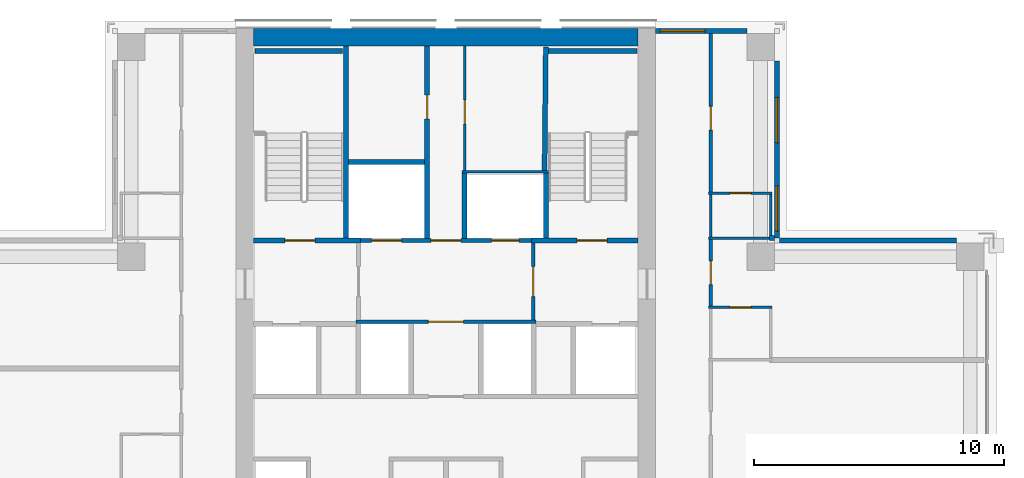
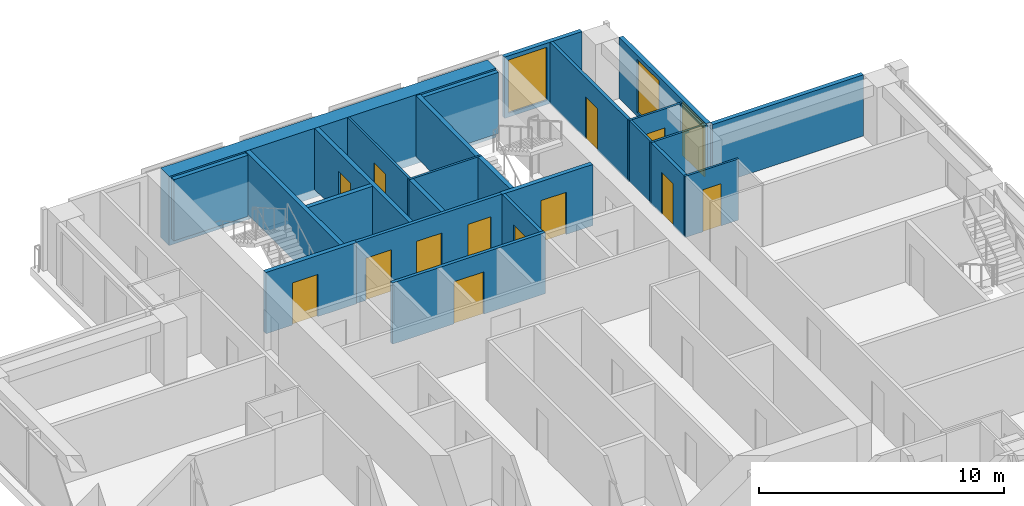
# One storey, part 12 of 16: 27 walls, 13 doors, 3 windows, 16 openings.
"""IFC4 building model written with IfcOpenShell, lengths in metres."""

from ifc_helpers import new_model, si_unit, direction, frame, frame_2d, origin, place, context, subcontext, project, spatial, rectangle, extrude, material, layer, layer_set, type_object, element, fill, save


model = new_model("IFC4")

# Units and contexts
model_context = context("Model", 3, precision=1e-05, world=origin(), true_north=direction((0.0, 1.0)))
body_context = subcontext(model_context, "Body", "Model", "MODEL_VIEW")
ifc_project = project(units=[si_unit("LENGTHUNIT", "METRE"), si_unit("AREAUNIT", "SQUARE_METRE"), si_unit("VOLUMEUNIT", "CUBIC_METRE"), si_unit("PLANEANGLEUNIT", "RADIAN"), si_unit("MASSUNIT", "GRAM", prefix="KILO")], contexts=[model_context])

# Site, building, storey
site_placement = place(None, origin())
site = spatial("IfcSite", under=ifc_project, at=site_placement, CompositionType="ELEMENT")
building_placement = place(site_placement, origin())
building = spatial("IfcBuilding", under=site, at=building_placement, Name="Vermilion Ogive Tower", CompositionType="ELEMENT")
storey_placement = place(building_placement, frame((0.0, 0.0, 146.89990234375)))
storey = spatial("IfcBuildingStorey", under=building, at=storey_placement, Name="L37", CompositionType="ELEMENT", Elevation=146.89990234375)

# Wall
ifc_material_1 = material(Name="Concrete B60", Category="concrete")
ifc_layer_1 = layer(ifc_material_1, 0.699951171875)
ifc_layer_set_1 = layer_set([ifc_layer_1], Name="Core wall 700 B60")
wall_type_1 = type_object("IfcWallType", Name="Core wall 700 B60", PredefinedType="SHEAR", material=ifc_layer_set_1)
wall_1_placement = place(storey_placement, frame((-7.699951171875, 21.39990234375, -0.39990234375), z_axis=(0.0, 0.0, 1.0), x_axis=(1.0, 0.0, 0.0)))
element("IfcWall", 1, at=wall_1_placement, inside=storey, type_object=wall_type_1, Name="L37-CORE-N", PredefinedType="SHEAR", context=body_context, shape_type="SweptSolid", body=[
    extrude(rectangle(XDim=15.39990234375, YDim=0.699951171875, at=frame_2d((7.699951171875, 0.0))), origin(), (0.0, 0.0, 1.0), 3.449951171875),
])

# Wall, opening, door
ifc_material_2 = material(Name="Gypsum board partition on steel studs", Category="steel")
ifc_layer_2 = layer(ifc_material_2, 0.10009765625)
ifc_layer_set_2 = layer_set([ifc_layer_2], Name="Partition 100 bath")
wall_type_2 = type_object("IfcWallType", Name="Partition 100 bath", PredefinedType="PARTITIONING", material=ifc_layer_set_2)
wall_2_placement = place(storey_placement, frame((10.52490234375, 10.570068359375, 0.0), z_axis=(0.0, 0.0, 1.0), x_axis=(1.0, 0.0, 0.0)))
wall_2 = element("IfcWall", 2, at=wall_2_placement, inside=storey, type_object=wall_type_2, Name="L37-W-W026", PredefinedType="PARTITIONING", context=body_context, shape_type="SweptSolid", body=[
    extrude(rectangle(XDim=2.525146484375, YDim=0.10009765625, at=frame_2d((1.2626953125, 0.0))), origin(), (0.0, 0.0, 1.0), 3.050048828125),
])
opening_1_placement = place(wall_2_placement, frame((0.85009765625, 0.0, 0.0)))
opening_1 = element("IfcOpeningElement", 3, at=opening_1_placement, cuts=wall_2, Name="Opening D3G2014", PredefinedType="OPENING", context=body_context, shape_type="SweptSolid", body=[
    extrude(rectangle(XDim=0.85009765625, YDim=2.10009765625, at=frame_2d((0.425048828125, 1.050048828125))), frame((0.0, 0.06005859375, 0.0), z_axis=(0.0, -1.0, 0.0), x_axis=(1.0, 0.0, 0.0)), (0.0, 0.0, 1.0), 0.1201171875),
])
ifc_material_3 = material(Name="Timber door leaf", Category="wood")
door_type_1 = type_object("IfcDoorType", Name="Bath door 850 x 2100 FD30", OperationType="SINGLE_SWING_LEFT", PredefinedType="DOOR", material=ifc_material_3)
door_1_placement = place(opening_1_placement, origin())
door_1 = element("IfcDoor", 4, at=door_1_placement, inside=storey, type_object=door_type_1, Name="L37-D-D014", OperationType="SINGLE_SWING_RIGHT", OverallHeight=2.10009765625, OverallWidth=0.85009765625, PredefinedType="DOOR", context=body_context, shape_type="SweptSolid", body=[
    extrude(rectangle(XDim=0.85009765625, YDim=2.10009765625, at=frame_2d((0.425048828125, 1.050048828125))), frame((0.0, 0.02490234375, 0.0), z_axis=(0.0, -1.0, 0.0), x_axis=(1.0, 0.0, 0.0)), (0.0, 0.0, 1.0), 0.050048828125),
])
fill(opening_1, door_1)

# Wall
wall_3_placement = place(storey_placement, frame((10.52490234375, 13.35009765625, 0.0), z_axis=(0.0, 0.0, 1.0), x_axis=(1.0, 0.0, 0.0)))
element("IfcWall", 5, at=wall_3_placement, inside=storey, type_object=wall_type_2, Name="L37-W-W029", PredefinedType="PARTITIONING", context=body_context, shape_type="SweptSolid", body=[
    extrude(rectangle(XDim=2.525146484375, YDim=0.10009765625, at=frame_2d((1.2626953125, 0.0))), origin(), (0.0, 0.0, 1.0), 3.050048828125),
])

# Wall, opening, door
wall_4_placement = place(storey_placement, frame((10.52490234375, 15.14990234375, 0.0), z_axis=(0.0, 0.0, 1.0), x_axis=(1.0, 0.0, 0.0)))
wall_4 = element("IfcWall", 6, at=wall_4_placement, inside=storey, type_object=wall_type_2, Name="L37-W-W032", PredefinedType="PARTITIONING", context=body_context, shape_type="SweptSolid", body=[
    extrude(rectangle(XDim=2.525146484375, YDim=0.10009765625, at=frame_2d((1.2626953125, 0.0))), origin(), (0.0, 0.0, 1.0), 3.050048828125),
])
opening_2_placement = place(wall_4_placement, frame((0.85009765625, 0.0, 0.0)))
opening_2 = element("IfcOpeningElement", 7, at=opening_2_placement, cuts=wall_4, Name="Opening D3G2016", PredefinedType="OPENING", context=body_context, shape_type="SweptSolid", body=[
    extrude(rectangle(XDim=0.85009765625, YDim=2.10009765625, at=frame_2d((0.425048828125, 1.050048828125))), frame((0.0, 0.06005859375, 0.0), z_axis=(0.0, -1.0, 0.0), x_axis=(1.0, 0.0, 0.0)), (0.0, 0.0, 1.0), 0.1201171875),
])
door_2_placement = place(opening_2_placement, origin())
door_2 = element("IfcDoor", 8, at=door_2_placement, inside=storey, type_object=door_type_1, Name="L37-D-D016", OperationType="SINGLE_SWING_RIGHT", OverallHeight=2.10009765625, OverallWidth=0.85009765625, PredefinedType="DOOR", context=body_context, shape_type="SweptSolid", body=[
    extrude(rectangle(XDim=0.85009765625, YDim=2.10009765625, at=frame_2d((0.425048828125, 1.050048828125))), frame((0.0, 0.02490234375, 0.0), z_axis=(0.0, -1.0, 0.0), x_axis=(1.0, 0.0, 0.0)), (0.0, 0.0, 1.0), 0.050048828125),
])
fill(opening_2, door_2)

# Walls
wall_5_placement = place(storey_placement, frame((10.60009765625, 13.39990234375, 0.0), z_axis=(0.0, 0.0, 1.0), x_axis=(0.0, 1.0, 0.0)))
element("IfcWall", 9, at=wall_5_placement, inside=storey, type_object=wall_type_2, Name="L37-W-W057", PredefinedType="PARTITIONING", context=body_context, shape_type="SweptSolid", body=[
    extrude(rectangle(XDim=1.7001953125, YDim=0.10009765625, at=frame_2d((0.85009765625, 0.0))), origin(), (0.0, 0.0, 1.0), 3.050048828125),
])
wall_6_placement = place(storey_placement, frame((13.0, 13.449951171875, 0.0), z_axis=(0.0, 0.0, 1.0), x_axis=(0.0, 1.0, 0.0)))
element("IfcWall", 10, at=wall_6_placement, inside=storey, type_object=wall_type_2, Name="L37-W-W063", PredefinedType="PARTITIONING", context=body_context, shape_type="SweptSolid", body=[
    extrude(rectangle(XDim=1.650146484375, YDim=0.10009765625, at=frame_2d((0.8251953125, 0.0))), origin(), (0.0, 0.0, 1.0), 3.050048828125),
])
wall_7_placement = place(storey_placement, frame((0.64990234375, 16.0, 0.0), z_axis=(0.0, 0.0, 1.0), x_axis=(1.0, 0.0, 0.0)))
element("IfcWall", 11, at=wall_7_placement, inside=storey, type_object=wall_type_2, Name="L37-CK-W-W017", PredefinedType="PARTITIONING", context=body_context, shape_type="SweptSolid", body=[
    extrude(rectangle(XDim=3.4501953125, YDim=0.10009765625, at=frame_2d((1.72509765625, 0.0))), origin(), (0.0, 0.0, 1.0), 3.050048828125),
])

# Wall, opening, door
wall_8_placement = place(storey_placement, frame((0.75, 16.050048828125, 0.0), z_axis=(0.0, 0.0, 1.0), x_axis=(0.0, 1.0, 0.0)))
wall_8 = element("IfcWall", 12, at=wall_8_placement, inside=storey, type_object=wall_type_2, Name="L37-CK-W-W029", PredefinedType="PARTITIONING", context=body_context, shape_type="SweptSolid", body=[
    extrude(rectangle(XDim=4.9990234375, YDim=0.10009765625, at=frame_2d((2.49951171875, 0.0))), origin(), (0.0, 0.0, 1.0), 3.050048828125),
])
opening_3_placement = place(wall_8_placement, frame((1.875, 0.0, 0.0)))
opening_3 = element("IfcOpeningElement", 13, at=opening_3_placement, cuts=wall_8, Name="Opening DAA311", PredefinedType="OPENING", context=body_context, shape_type="SweptSolid", body=[
    extrude(rectangle(XDim=0.949951171875, YDim=2.10009765625, at=frame_2d((0.47509765625, 1.050048828125))), frame((0.0, 0.06005859375, 0.0), z_axis=(0.0, -1.0, 0.0), x_axis=(1.0, 0.0, 0.0)), (0.0, 0.0, 1.0), 0.1201171875),
])
ifc_material_4 = material(Name="Timber door leaf", Category="wood")
door_type_2 = type_object("IfcDoorType", Name="Service door 950 x 2100 FD60", OperationType="SINGLE_SWING_LEFT", PredefinedType="DOOR", material=ifc_material_4)
door_3_placement = place(opening_3_placement, origin())
door_3 = element("IfcDoor", 14, at=door_3_placement, inside=storey, type_object=door_type_2, Name="L37-CK-D-D021", OperationType="SINGLE_SWING_LEFT", OverallHeight=2.10009765625, OverallWidth=0.949951171875, PredefinedType="DOOR", context=body_context, shape_type="SweptSolid", body=[
    extrude(rectangle(XDim=0.949951171875, YDim=2.10009765625, at=frame_2d((0.47509765625, 1.050048828125))), frame((0.0, 0.02490234375, 0.0), z_axis=(0.0, -1.0, 0.0), x_axis=(1.0, 0.0, 0.0)), (0.0, 0.0, 1.0), 0.050048828125),
])
fill(opening_3, door_3)

ifc_material_5 = material(Name="Gypsum board partition on steel studs", Category="steel")
ifc_layer_3 = layer(ifc_material_5, 0.14990234375)
ifc_layer_set_3 = layer_set([ifc_layer_3], Name="Partition 150 corridor")
wall_type_3 = type_object("IfcWallType", Name="Partition 150 corridor", PredefinedType="PARTITIONING", material=ifc_layer_set_3)
wall_9_placement = place(storey_placement, frame((10.60009765625, 10.6201171875, 0.0), z_axis=(0.0, 0.0, 1.0), x_axis=(0.0, 1.0, 0.0)))
wall_9 = element("IfcWall", 15, at=wall_9_placement, inside=storey, type_object=wall_type_3, Name="L37-W-W056", PredefinedType="PARTITIONING", context=body_context, shape_type="SweptSolid", body=[
    extrude(rectangle(XDim=2.679931640625, YDim=0.14990234375, at=frame_2d((1.33984375, 0.0))), origin(), (0.0, 0.0, 1.0), 3.050048828125),
])
opening_4_placement = place(wall_9_placement, frame((0.864990234375, 0.0, 0.0)))
opening_4 = element("IfcOpeningElement", 16, at=opening_4_placement, cuts=wall_9, Name="Opening D3G2013", PredefinedType="OPENING", context=body_context, shape_type="SweptSolid", body=[
    extrude(rectangle(XDim=0.949951171875, YDim=2.10009765625, at=frame_2d((0.47509765625, 1.050048828125))), frame((0.0, 0.0849609375, 0.0), z_axis=(0.0, -1.0, 0.0), x_axis=(1.0, 0.0, 0.0)), (0.0, 0.0, 1.0), 0.169921875),
])
ifc_material_6 = material(Name="Timber door leaf", Category="wood")
door_type_3 = type_object("IfcDoorType", Name="Unit door 950 x 2100 FD30S", OperationType="SINGLE_SWING_LEFT", PredefinedType="DOOR", material=ifc_material_6)
door_4_placement = place(opening_4_placement, origin())
door_4 = element("IfcDoor", 17, at=door_4_placement, inside=storey, type_object=door_type_3, Name="L37-D-D013", OperationType="SINGLE_SWING_RIGHT", OverallHeight=2.10009765625, OverallWidth=0.949951171875, PredefinedType="DOOR", context=body_context, shape_type="SweptSolid", body=[
    extrude(rectangle(XDim=0.949951171875, YDim=2.10009765625, at=frame_2d((0.47509765625, 1.050048828125))), frame((0.0, 0.02490234375, 0.0), z_axis=(0.0, -1.0, 0.0), x_axis=(1.0, 0.0, 0.0)), (0.0, 0.0, 1.0), 0.050048828125),
])
fill(opening_4, door_4)

wall_10_placement = place(storey_placement, frame((10.60009765625, 15.199951171875, 0.0), z_axis=(0.0, 0.0, 1.0), x_axis=(0.0, 1.0, 0.0)))
wall_10 = element("IfcWall", 18, at=wall_10_placement, inside=storey, type_object=wall_type_3, Name="L37-W-W058", PredefinedType="PARTITIONING", context=body_context, shape_type="SweptSolid", body=[
    extrude(rectangle(XDim=6.35009765625, YDim=0.14990234375, at=frame_2d((3.175048828125, 0.0))), origin(), (0.0, 0.0, 1.0), 3.050048828125),
])
opening_5_placement = place(wall_10_placement, frame((2.47509765625, 0.0, 0.0)))
opening_5 = element("IfcOpeningElement", 19, at=opening_5_placement, cuts=wall_10, Name="Opening D3G2015", PredefinedType="OPENING", context=body_context, shape_type="SweptSolid", body=[
    extrude(rectangle(XDim=0.949951171875, YDim=2.10009765625, at=frame_2d((0.47509765625, 1.050048828125))), frame((0.0, 0.0849609375, 0.0), z_axis=(0.0, -1.0, 0.0), x_axis=(1.0, 0.0, 0.0)), (0.0, 0.0, 1.0), 0.169921875),
])
door_5_placement = place(opening_5_placement, origin())
door_5 = element("IfcDoor", 20, at=door_5_placement, inside=storey, type_object=door_type_3, Name="L37-D-D015", OperationType="SINGLE_SWING_LEFT", OverallHeight=2.10009765625, OverallWidth=0.949951171875, PredefinedType="DOOR", context=body_context, shape_type="SweptSolid", body=[
    extrude(rectangle(XDim=0.949951171875, YDim=2.10009765625, at=frame_2d((0.47509765625, 1.050048828125))), frame((0.0, 0.02490234375, 0.0), z_axis=(0.0, -1.0, 0.0), x_axis=(1.0, 0.0, 0.0)), (0.0, 0.0, 1.0), 0.050048828125),
])
fill(opening_5, door_5)

wall_11_placement = place(storey_placement, frame((-3.60009765625, 10.0, 0.0), z_axis=(0.0, 0.0, 1.0), x_axis=(1.0, 0.0, 0.0)))
wall_11 = element("IfcWall", 21, at=wall_11_placement, inside=storey, type_object=wall_type_3, Name="L37-CK-W-W013", PredefinedType="PARTITIONING", context=body_context, shape_type="SweptSolid", body=[
    extrude(rectangle(XDim=7.2001953125, YDim=0.14990234375, at=frame_2d((3.60009765625, 0.0))), origin(), (0.0, 0.0, 1.0), 3.050048828125),
])
opening_6_placement = place(wall_11_placement, frame((2.900146484375, 0.0, 0.0)))
opening_6 = element("IfcOpeningElement", 22, at=opening_6_placement, cuts=wall_11, Name="Opening DAA303", PredefinedType="OPENING", context=body_context, shape_type="SweptSolid", body=[
    extrude(rectangle(XDim=1.39990234375, YDim=2.10009765625, at=frame_2d((0.699951171875, 1.050048828125))), frame((0.0, 0.0849609375, 0.0), z_axis=(0.0, -1.0, 0.0), x_axis=(1.0, 0.0, 0.0)), (0.0, 0.0, 1.0), 0.169921875),
])
ifc_material_7 = material(Name="Timber door leaf", Category="wood")
door_type_4 = type_object("IfcDoorType", Name="Lobby door 1400 x 2100 FD60S", OperationType="SINGLE_SWING_LEFT", PredefinedType="DOOR", material=ifc_material_7)
door_6_placement = place(opening_6_placement, origin())
door_6 = element("IfcDoor", 23, at=door_6_placement, inside=storey, type_object=door_type_4, Name="L37-CK-D-D016", OperationType="SINGLE_SWING_RIGHT", OverallHeight=2.10009765625, OverallWidth=1.39990234375, PredefinedType="DOOR", context=body_context, shape_type="SweptSolid", body=[
    extrude(rectangle(XDim=1.39990234375, YDim=2.10009765625, at=frame_2d((0.699951171875, 1.050048828125))), frame((0.0, 0.02490234375, 0.0), z_axis=(0.0, -1.0, 0.0), x_axis=(1.0, 0.0, 0.0)), (0.0, 0.0, 1.0), 0.050048828125),
])
fill(opening_6, door_6)

# Wall, openings, doors
wall_12_placement = place(storey_placement, frame((-3.574951171875, 13.25, 0.0), z_axis=(0.0, 0.0, 1.0), x_axis=(1.0, 0.0, 0.0)))
wall_12 = element("IfcWall", 24, at=wall_12_placement, inside=storey, type_object=wall_type_3, Name="L37-CK-W-W015", PredefinedType="PARTITIONING", context=body_context, shape_type="SweptSolid", body=[
    extrude(rectangle(XDim=7.14990234375, YDim=0.14990234375, at=frame_2d((3.574951171875, 0.0))), origin(), (0.0, 0.0, 1.0), 3.050048828125),
])
opening_7_placement = place(wall_12_placement, frame((0.599853515625, 0.0, 0.0)))
opening_7 = element("IfcOpeningElement", 25, at=opening_7_placement, cuts=wall_12, Name="Opening DAA322", PredefinedType="OPENING", context=body_context, shape_type="SweptSolid", body=[
    extrude(rectangle(XDim=1.199951171875, YDim=2.10009765625, at=frame_2d((0.60009765625, 1.050048828125))), frame((0.0, 0.0849609375, 0.0), z_axis=(0.0, -1.0, 0.0), x_axis=(1.0, 0.0, 0.0)), (0.0, 0.0, 1.0), 0.169921875),
])
opening_8_placement = place(wall_12_placement, frame((5.39990234375, 0.0, 0.0)))
opening_8 = element("IfcOpeningElement", 26, at=opening_8_placement, cuts=wall_12, Name="Opening DAA321", PredefinedType="OPENING", context=body_context, shape_type="SweptSolid", body=[
    extrude(rectangle(XDim=1.10009765625, YDim=2.10009765625, at=frame_2d((0.550048828125, 1.050048828125))), frame((0.0, 0.0849609375, 0.0), z_axis=(0.0, -1.0, 0.0), x_axis=(1.0, 0.0, 0.0)), (0.0, 0.0, 1.0), 0.169921875),
])
opening_9_placement = place(wall_12_placement, frame((2.974853515625, 0.0, 0.0)))
opening_9 = element("IfcOpeningElement", 27, at=opening_9_placement, cuts=wall_12, Name="Opening DAA304", PredefinedType="OPENING", context=body_context, shape_type="SweptSolid", body=[
    extrude(rectangle(XDim=1.199951171875, YDim=2.10009765625, at=frame_2d((0.60009765625, 1.050048828125))), frame((0.0, 0.0849609375, 0.0), z_axis=(0.0, -1.0, 0.0), x_axis=(1.0, 0.0, 0.0)), (0.0, 0.0, 1.0), 0.169921875),
])
ifc_material_8 = material(Name="Stainless steel", Category="steel")
door_type_5 = type_object("IfcDoorType", Name="Lift landing door 1100 x 2100", OperationType="SLIDING_TO_LEFT", PredefinedType="DOOR", material=ifc_material_8)
door_7_placement = place(opening_8_placement, origin())
door_7 = element("IfcDoor", 28, at=door_7_placement, inside=storey, type_object=door_type_5, Name="L37-CK-D-D018", OperationType="SLIDING_TO_LEFT", OverallHeight=2.10009765625, OverallWidth=1.10009765625, PredefinedType="DOOR", context=body_context, shape_type="SweptSolid", body=[
    extrude(rectangle(XDim=1.10009765625, YDim=2.10009765625, at=frame_2d((0.550048828125, 1.050048828125))), frame((0.0, 0.02490234375, 0.0), z_axis=(0.0, -1.0, 0.0), x_axis=(1.0, 0.0, 0.0)), (0.0, 0.0, 1.0), 0.050048828125),
])
fill(opening_8, door_7)
ifc_material_9 = material(Name="Stainless steel", Category="steel")
door_type_6 = type_object("IfcDoorType", Name="Lift landing door 1200 x 2100", OperationType="SLIDING_TO_LEFT", PredefinedType="DOOR", material=ifc_material_9)
door_8_placement = place(opening_7_placement, origin())
door_8 = element("IfcDoor", 29, at=door_8_placement, inside=storey, type_object=door_type_6, Name="L37-CK-D-D017", OperationType="SLIDING_TO_RIGHT", OverallHeight=2.10009765625, OverallWidth=1.199951171875, PredefinedType="DOOR", context=body_context, shape_type="SweptSolid", body=[
    extrude(rectangle(XDim=1.199951171875, YDim=2.10009765625, at=frame_2d((0.60009765625, 1.050048828125))), frame((0.0, 0.02490234375, 0.0), z_axis=(0.0, -1.0, 0.0), x_axis=(1.0, 0.0, 0.0)), (0.0, 0.0, 1.0), 0.050048828125),
])
fill(opening_7, door_8)
ifc_material_10 = material(Name="Timber door leaf", Category="wood")
door_type_7 = type_object("IfcDoorType", Name="Service door 1200 x 2100 FD60", OperationType="SINGLE_SWING_LEFT", PredefinedType="DOOR", material=ifc_material_10)
door_9_placement = place(opening_9_placement, origin())
door_9 = element("IfcDoor", 30, at=door_9_placement, inside=storey, type_object=door_type_7, Name="L37-CK-D-D019", OperationType="SINGLE_SWING_RIGHT", OverallHeight=2.10009765625, OverallWidth=1.199951171875, PredefinedType="DOOR", context=body_context, shape_type="SweptSolid", body=[
    extrude(rectangle(XDim=1.199951171875, YDim=2.10009765625, at=frame_2d((0.60009765625, 1.050048828125))), frame((0.0, 0.02490234375, 0.0), z_axis=(0.0, -1.0, 0.0), x_axis=(1.0, 0.0, 0.0)), (0.0, 0.0, 1.0), 0.050048828125),
])
fill(opening_9, door_9)

# Wall, opening, door
wall_13_placement = place(storey_placement, frame((3.5, 10.074951171875, 0.0), z_axis=(0.0, 0.0, 1.0), x_axis=(0.0, 1.0, 0.0)))
wall_13 = element("IfcWall", 31, at=wall_13_placement, inside=storey, type_object=wall_type_3, Name="L37-CK-W-W033", PredefinedType="PARTITIONING", context=body_context, shape_type="SweptSolid", body=[
    extrude(rectangle(XDim=3.074951171875, YDim=0.14990234375, at=frame_2d((1.53759765625, 0.0))), origin(), (0.0, 0.0, 1.0), 3.050048828125),
])
opening_10_placement = place(wall_13_placement, frame((0.925048828125, 0.0, 0.0)))
opening_10 = element("IfcOpeningElement", 32, at=opening_10_placement, cuts=wall_13, Name="Opening DAA301", PredefinedType="OPENING", context=body_context, shape_type="SweptSolid", body=[
    extrude(rectangle(XDim=1.199951171875, YDim=2.10009765625, at=frame_2d((0.60009765625, 1.050048828125))), frame((0.0, 0.0849609375, 0.0), z_axis=(0.0, -1.0, 0.0), x_axis=(1.0, 0.0, 0.0)), (0.0, 0.0, 1.0), 0.169921875),
])
ifc_material_11 = material(Name="Timber door leaf", Category="wood")
door_type_8 = type_object("IfcDoorType", Name="Lobby door 1200 x 2100 FD60S", OperationType="SINGLE_SWING_LEFT", PredefinedType="DOOR", material=ifc_material_11)
door_10_placement = place(opening_10_placement, origin())
door_10 = element("IfcDoor", 33, at=door_10_placement, inside=storey, type_object=door_type_8, Name="L37-CK-D-D023", OperationType="SINGLE_SWING_LEFT", OverallHeight=2.10009765625, OverallWidth=1.199951171875, PredefinedType="DOOR", context=body_context, shape_type="SweptSolid", body=[
    extrude(rectangle(XDim=1.199951171875, YDim=2.10009765625, at=frame_2d((0.60009765625, 1.050048828125))), frame((0.0, 0.02490234375, 0.0), z_axis=(0.0, -1.0, 0.0), x_axis=(1.0, 0.0, 0.0)), (0.0, 0.0, 1.0), 0.050048828125),
])
fill(opening_10, door_10)

# Walls
ifc_material_12 = material(Name="Gypsum board partition on steel studs", Category="steel")
ifc_layer_4 = layer(ifc_material_12, 0.199951171875)
ifc_layer_set_4 = layer_set([ifc_layer_4], Name="Partition 200 party")
wall_type_4 = type_object("IfcWallType", Name="Partition 200 party", PredefinedType="PARTITIONING", material=ifc_layer_set_4)
wall_14_placement = place(storey_placement, frame((12.949951171875, 13.35009765625, 0.0), z_axis=(0.0, 0.0, 1.0), x_axis=(1.0, 0.0, 0.0)))
element("IfcWall", 34, at=wall_14_placement, inside=storey, type_object=wall_type_4, Name="L37-W-W030", PredefinedType="PARTITIONING", context=body_context, shape_type="SweptSolid", body=[
    extrude(rectangle(XDim=0.199951171875, YDim=0.199951171875, at=frame_2d((0.10009765625, 0.0))), origin(), (0.0, 0.0, 1.0), 3.050048828125),
])
wall_15_placement = place(storey_placement, frame((-3.89990234375, 16.39990234375, 0.0), z_axis=(0.0, 0.0, 1.0), x_axis=(1.0, 0.0, 0.0)))
element("IfcWall", 35, at=wall_15_placement, inside=storey, type_object=wall_type_4, Name="L37-CK-W-W018", PredefinedType="PARTITIONING", context=body_context, shape_type="SweptSolid", body=[
    extrude(rectangle(XDim=3.0498046875, YDim=0.199951171875, at=frame_2d((1.52490234375, 0.0))), origin(), (0.0, 0.0, 1.0), 3.050048828125),
])

# Wall, opening, door
wall_16_placement = place(storey_placement, frame((-0.75, 13.324951171875, 0.0), z_axis=(0.0, 0.0, 1.0), x_axis=(0.0, 1.0, 0.0)))
wall_16 = element("IfcWall", 36, at=wall_16_placement, inside=storey, type_object=wall_type_4, Name="L37-CK-W-W026", PredefinedType="PARTITIONING", context=body_context, shape_type="SweptSolid", body=[
    extrude(rectangle(XDim=7.72412109375, YDim=0.199951171875, at=frame_2d((3.862060546875, 0.0))), origin(), (0.0, 0.0, 1.0), 3.050048828125),
])
opening_11_placement = place(wall_16_placement, frame((4.800048828125, 0.0, 0.0)))
opening_11 = element("IfcOpeningElement", 37, at=opening_11_placement, cuts=wall_16, Name="Opening DAA310", PredefinedType="OPENING", context=body_context, shape_type="SweptSolid", body=[
    extrude(rectangle(XDim=0.949951171875, YDim=2.10009765625, at=frame_2d((0.47509765625, 1.050048828125))), frame((0.0, 0.10986328125, 0.0), z_axis=(0.0, -1.0, 0.0), x_axis=(1.0, 0.0, 0.0)), (0.0, 0.0, 1.0), 0.219970703125),
])
door_11_placement = place(opening_11_placement, origin())
door_11 = element("IfcDoor", 38, at=door_11_placement, inside=storey, type_object=door_type_2, Name="L37-CK-D-D020", OperationType="SINGLE_SWING_RIGHT", OverallHeight=2.10009765625, OverallWidth=0.949951171875, PredefinedType="DOOR", context=body_context, shape_type="SweptSolid", body=[
    extrude(rectangle(XDim=0.949951171875, YDim=2.10009765625, at=frame_2d((0.47509765625, 1.050048828125))), frame((0.0, 0.02490234375, 0.0), z_axis=(0.0, -1.0, 0.0), x_axis=(1.0, 0.0, 0.0)), (0.0, 0.0, 1.0), 0.050048828125),
])
fill(opening_11, door_11)

# Wall
wall_17_placement = place(storey_placement, frame((0.75, 13.324951171875, 0.0), z_axis=(0.0, 0.0, 1.0), x_axis=(0.0, 1.0, 0.0)))
element("IfcWall", 39, at=wall_17_placement, inside=storey, type_object=wall_type_4, Name="L37-CK-W-W028", PredefinedType="PARTITIONING", context=body_context, shape_type="SweptSolid", body=[
    extrude(rectangle(XDim=2.625, YDim=0.199951171875, at=frame_2d((1.3125, 0.0))), origin(), (0.0, 0.0, 1.0), 3.050048828125),
])

# Wall, opening, door
ifc_material_13 = material(Name="Concrete B60", Category="concrete")
ifc_layer_5 = layer(ifc_material_13, 0.199951171875)
ifc_layer_set_5 = layer_set([ifc_layer_5], Name="Stair shaft wall 200 Concrete B60")
wall_type_5 = type_object("IfcWallType", Name="Stair shaft wall 200 Concrete B60", PredefinedType="SOLIDWALL", material=ifc_layer_set_5)
wall_18_placement = place(storey_placement, frame((-7.698974609375, 13.25, 0.0), z_axis=(0.0, 0.0, 1.0), x_axis=(1.0, 0.0, 0.0)))
wall_18 = element("IfcWall", 40, at=wall_18_placement, inside=storey, type_object=wall_type_5, Name="L37-CK-W-W014", PredefinedType="SOLIDWALL", context=body_context, shape_type="SweptSolid", body=[
    extrude(rectangle(XDim=4.27392578125, YDim=0.199951171875, at=frame_2d((2.136962890625, 0.0))), origin(), (0.0, 0.0, 1.0), 3.050048828125),
])
opening_12_placement = place(wall_18_placement, frame((1.2490234375, 0.0, 0.0)))
opening_12 = element("IfcOpeningElement", 41, at=opening_12_placement, cuts=wall_18, Name="Opening DAA312", PredefinedType="OPENING", context=body_context, shape_type="SweptSolid", body=[
    extrude(rectangle(XDim=1.199951171875, YDim=2.10009765625, at=frame_2d((0.60009765625, 1.050048828125))), frame((0.0, 0.10986328125, 0.0), z_axis=(0.0, -1.0, 0.0), x_axis=(1.0, 0.0, 0.0)), (0.0, 0.0, 1.0), 0.219970703125),
])
ifc_material_14 = material(Name="Timber door leaf", Category="wood")
door_type_9 = type_object("IfcDoorType", Name="Stair door 1200 x 2100 FD60S", OperationType="SINGLE_SWING_LEFT", PredefinedType="DOOR", material=ifc_material_14)
door_12_placement = place(opening_12_placement, origin())
door_12 = element("IfcDoor", 42, at=door_12_placement, inside=storey, type_object=door_type_9, Name="L37-CK-D-D011", OperationType="SINGLE_SWING_LEFT", OverallHeight=2.10009765625, OverallWidth=1.199951171875, PredefinedType="DOOR", context=body_context, shape_type="SweptSolid", body=[
    extrude(rectangle(XDim=1.199951171875, YDim=2.10009765625, at=frame_2d((0.60009765625, 1.050048828125))), frame((0.0, 0.02490234375, 0.0), z_axis=(0.0, -1.0, 0.0), x_axis=(1.0, 0.0, 0.0)), (0.0, 0.0, 1.0), 0.050048828125),
])
fill(opening_12, door_12)

wall_19_placement = place(storey_placement, frame((3.425048828125, 13.25, 0.0), z_axis=(0.0, 0.0, 1.0), x_axis=(1.0, 0.0, 0.0)))
wall_19 = element("IfcWall", 43, at=wall_19_placement, inside=storey, type_object=wall_type_5, Name="L37-CK-W-W016", PredefinedType="SOLIDWALL", context=body_context, shape_type="SweptSolid", body=[
    extrude(rectangle(XDim=4.27392578125, YDim=0.199951171875, at=frame_2d((2.136962890625, 0.0))), origin(), (0.0, 0.0, 1.0), 3.050048828125),
])
opening_13_placement = place(wall_19_placement, frame((1.824951171875, 0.0, 0.0)))
opening_13 = element("IfcOpeningElement", 44, at=opening_13_placement, cuts=wall_19, Name="Opening DAA313", PredefinedType="OPENING", context=body_context, shape_type="SweptSolid", body=[
    extrude(rectangle(XDim=1.199951171875, YDim=2.10009765625, at=frame_2d((0.60009765625, 1.050048828125))), frame((0.0, 0.10986328125, 0.0), z_axis=(0.0, -1.0, 0.0), x_axis=(1.0, 0.0, 0.0)), (0.0, 0.0, 1.0), 0.219970703125),
])
door_13_placement = place(opening_13_placement, origin())
door_13 = element("IfcDoor", 45, at=door_13_placement, inside=storey, type_object=door_type_9, Name="L37-CK-D-D013", OperationType="SINGLE_SWING_RIGHT", OverallHeight=2.10009765625, OverallWidth=1.199951171875, PredefinedType="DOOR", context=body_context, shape_type="SweptSolid", body=[
    extrude(rectangle(XDim=1.199951171875, YDim=2.10009765625, at=frame_2d((0.60009765625, 1.050048828125))), frame((0.0, 0.02490234375, 0.0), z_axis=(0.0, -1.0, 0.0), x_axis=(1.0, 0.0, 0.0)), (0.0, 0.0, 1.0), 0.050048828125),
])
fill(opening_13, door_13)

# Walls
wall_20_placement = place(storey_placement, frame((-4.0, 13.35009765625, 0.0), z_axis=(0.0, 0.0, 1.0), x_axis=(0.0, 1.0, 0.0)))
element("IfcWall", 46, at=wall_20_placement, inside=storey, type_object=wall_type_5, Name="L37-CK-W-W021", PredefinedType="SOLIDWALL", context=body_context, shape_type="SweptSolid", body=[
    extrude(rectangle(XDim=7.698974609375, YDim=0.199951171875, at=frame_2d((3.849609375, 0.0))), origin(), (0.0, 0.0, 1.0), 3.050048828125),
])
wall_21_placement = place(storey_placement, frame((4.0, 13.35009765625, 0.0), z_axis=(0.0, 0.0, 1.0), x_axis=(0.0, 1.0, 0.0)))
element("IfcWall", 47, at=wall_21_placement, inside=storey, type_object=wall_type_5, Name="L37-CK-W-W034", PredefinedType="SOLIDWALL", context=body_context, shape_type="SweptSolid", body=[
    extrude(rectangle(XDim=2.599853515625, YDim=0.199951171875, at=frame_2d((1.2998046875, 0.0))), origin(), (0.0, 0.0, 1.0), 3.050048828125),
])
wall_22_placement = place(storey_placement, frame((3.949951171875, 16.050048828125, 0.0), z_axis=(0.0, 0.0, 1.0), x_axis=(0.010112452169, 0.999948867848, 0.0)))
element("IfcWall", 48, at=wall_22_placement, inside=storey, type_object=wall_type_5, Name="L37-CK-W-W035", PredefinedType="SOLIDWALL", context=body_context, shape_type="SweptSolid", body=[
    extrude(rectangle(XDim=4.94921875, YDim=0.199951171875, at=frame_2d((2.474609375, 0.0))), origin(), (0.0, 0.0, 1.0), 3.050048828125),
])
wall_23_placement = place(storey_placement, frame((-7.64990234375, 20.85009765625, 0.0), z_axis=(0.0, 0.0, 1.0), x_axis=(1.0, 0.0, 0.0)))
element("IfcWall", 49, at=wall_23_placement, inside=storey, type_object=wall_type_5, Name="L37-SW-R015-N1", PredefinedType="SOLIDWALL", context=body_context, shape_type="SweptSolid", body=[
    extrude(rectangle(XDim=3.5, YDim=0.199951171875, at=frame_2d((1.75, 0.0))), origin(), (0.0, 0.0, 1.0), 3.050048828125),
])
wall_24_placement = place(storey_placement, frame((4.10009765625, 20.85009765625, 0.0), z_axis=(0.0, 0.0, 1.0), x_axis=(1.0, 0.0, 0.0)))
element("IfcWall", 50, at=wall_24_placement, inside=storey, type_object=wall_type_5, Name="L37-SW-R019-N1", PredefinedType="SOLIDWALL", context=body_context, shape_type="SweptSolid", body=[
    extrude(rectangle(XDim=3.5498046875, YDim=0.199951171875, at=frame_2d((1.77490234375, 0.0))), origin(), (0.0, 0.0, 1.0), 3.050048828125),
])
ifc_material_15 = material(Name="Aluminium window wall framing", Category="aluminium")
ifc_layer_6 = layer(ifc_material_15, 0.199951171875)
ifc_layer_set_6 = layer_set([ifc_layer_6], Name="Window wall")
wall_type_6 = type_object("IfcWallType", Name="Window wall", PredefinedType="STANDARD", material=ifc_layer_set_6)
wall_25_placement = place(storey_placement, frame((20.449951171875, 13.25, 0.0), z_axis=(0.0, 0.0, 1.0), x_axis=(-1.0, 0.0, 0.0)))
element("IfcWall", 51, at=wall_25_placement, inside=storey, type_object=wall_type_6, Name="Window wall X31", PredefinedType="STANDARD", context=body_context, shape_type="SweptSolid", body=[
    extrude(rectangle(XDim=7.099853515625, YDim=0.199951171875, at=frame_2d((3.5498046875, 0.0))), origin(), (0.0, 0.0, 1.0), 3.050048828125),
])

# Wall, openings, windows
wall_26_placement = place(storey_placement, frame((13.25, 13.35009765625, 0.0), z_axis=(0.0, 0.0, 1.0), x_axis=(0.0, 1.0, 0.0)))
wall_26 = element("IfcWall", 52, at=wall_26_placement, inside=storey, type_object=wall_type_6, Name="Window wall X41", PredefinedType="STANDARD", context=body_context, shape_type="SweptSolid", body=[
    extrude(rectangle(XDim=7.099853515625, YDim=0.199951171875, at=frame_2d((3.5498046875, 0.0))), origin(), (0.0, 0.0, 1.0), 3.050048828125),
])
opening_14_placement = place(wall_26_placement, frame((0.27490234375, 0.0, 0.199951171875)))
opening_14 = element("IfcOpeningElement", 53, at=opening_14_placement, cuts=wall_26, Name="Opening W1-X403", PredefinedType="OPENING", context=body_context, shape_type="SweptSolid", body=[
    extrude(rectangle(XDim=1.800048828125, YDim=2.64990234375, at=frame_2d((0.89990234375, 1.324951171875))), frame((0.0, 0.10986328125, 0.0), z_axis=(0.0, -1.0, 0.0), x_axis=(1.0, 0.0, 0.0)), (0.0, 0.0, 1.0), 0.219970703125),
])
opening_15_placement = place(wall_26_placement, frame((3.824951171875, 0.0, 0.199951171875)))
opening_15 = element("IfcOpeningElement", 54, at=opening_15_placement, cuts=wall_26, Name="Opening W1-X404", PredefinedType="OPENING", context=body_context, shape_type="SweptSolid", body=[
    extrude(rectangle(XDim=1.800048828125, YDim=2.64990234375, at=frame_2d((0.89990234375, 1.324951171875))), frame((0.0, 0.10986328125, 0.0), z_axis=(0.0, -1.0, 0.0), x_axis=(1.0, 0.0, 0.0)), (0.0, 0.0, 1.0), 0.219970703125),
])
ifc_material_16 = material(Name="Aluminium framed double glazing", Category="aluminium")
window_type = type_object("IfcWindowType", Name="Guest window W1", PartitioningType="SINGLE_PANEL", PredefinedType="WINDOW", material=ifc_material_16)
window_1_placement = place(opening_14_placement, origin())
window_1 = element("IfcWindow", 55, at=window_1_placement, inside=storey, type_object=window_type, Name="Window X403", OverallHeight=2.64990234375, OverallWidth=1.800048828125, PartitioningType="SINGLE_PANEL", PredefinedType="WINDOW", context=body_context, shape_type="SweptSolid", body=[
    extrude(rectangle(XDim=1.800048828125, YDim=2.64990234375, at=frame_2d((0.89990234375, 1.324951171875))), frame((0.0, 0.030029296875, 0.0), z_axis=(0.0, -1.0, 0.0), x_axis=(1.0, 0.0, 0.0)), (0.0, 0.0, 1.0), 0.06005859375),
])
fill(opening_14, window_1)
window_2_placement = place(opening_15_placement, origin())
window_2 = element("IfcWindow", 56, at=window_2_placement, inside=storey, type_object=window_type, Name="Window X404", OverallHeight=2.64990234375, OverallWidth=1.800048828125, PartitioningType="SINGLE_PANEL", PredefinedType="WINDOW", context=body_context, shape_type="SweptSolid", body=[
    extrude(rectangle(XDim=1.800048828125, YDim=2.64990234375, at=frame_2d((0.89990234375, 1.324951171875))), frame((0.0, 0.030029296875, 0.0), z_axis=(0.0, -1.0, 0.0), x_axis=(1.0, 0.0, 0.0)), (0.0, 0.0, 1.0), 0.06005859375),
])
fill(opening_15, window_2)

# Wall, opening, window
wall_27_placement = place(storey_placement, frame((12.050048828125, 21.64990234375, 0.0), z_axis=(0.0, 0.0, 1.0), x_axis=(-1.0, 0.0, 0.0)))
wall_27 = element("IfcWall", 57, at=wall_27_placement, inside=storey, type_object=wall_type_6, Name="Window wall N11", PredefinedType="STANDARD", context=body_context, shape_type="SweptSolid", body=[
    extrude(rectangle(XDim=3.650146484375, YDim=0.199951171875, at=frame_2d((1.8251953125, 0.0))), origin(), (0.0, 0.0, 1.0), 3.050048828125),
])
opening_16_placement = place(wall_27_placement, frame((1.669921875, 0.0, 0.199951171875)))
opening_16 = element("IfcOpeningElement", 58, at=opening_16_placement, cuts=wall_27, Name="Opening W1-N102", PredefinedType="OPENING", context=body_context, shape_type="SweptSolid", body=[
    extrude(rectangle(XDim=1.800048828125, YDim=2.64990234375, at=frame_2d((0.89990234375, 1.324951171875))), frame((0.0, 0.10986328125, 0.0), z_axis=(0.0, -1.0, 0.0), x_axis=(1.0, 0.0, 0.0)), (0.0, 0.0, 1.0), 0.219970703125),
])
window_3_placement = place(opening_16_placement, origin())
window_3 = element("IfcWindow", 59, at=window_3_placement, inside=storey, type_object=window_type, Name="Window N102", OverallHeight=2.64990234375, OverallWidth=1.800048828125, PartitioningType="SINGLE_PANEL", PredefinedType="WINDOW", context=body_context, shape_type="SweptSolid", body=[
    extrude(rectangle(XDim=1.800048828125, YDim=2.64990234375, at=frame_2d((0.89990234375, 1.324951171875))), frame((0.0, 0.030029296875, 0.0), z_axis=(0.0, -1.0, 0.0), x_axis=(1.0, 0.0, 0.0)), (0.0, 0.0, 1.0), 0.06005859375),
])
fill(opening_16, window_3)

save(model, "model.ifc")
